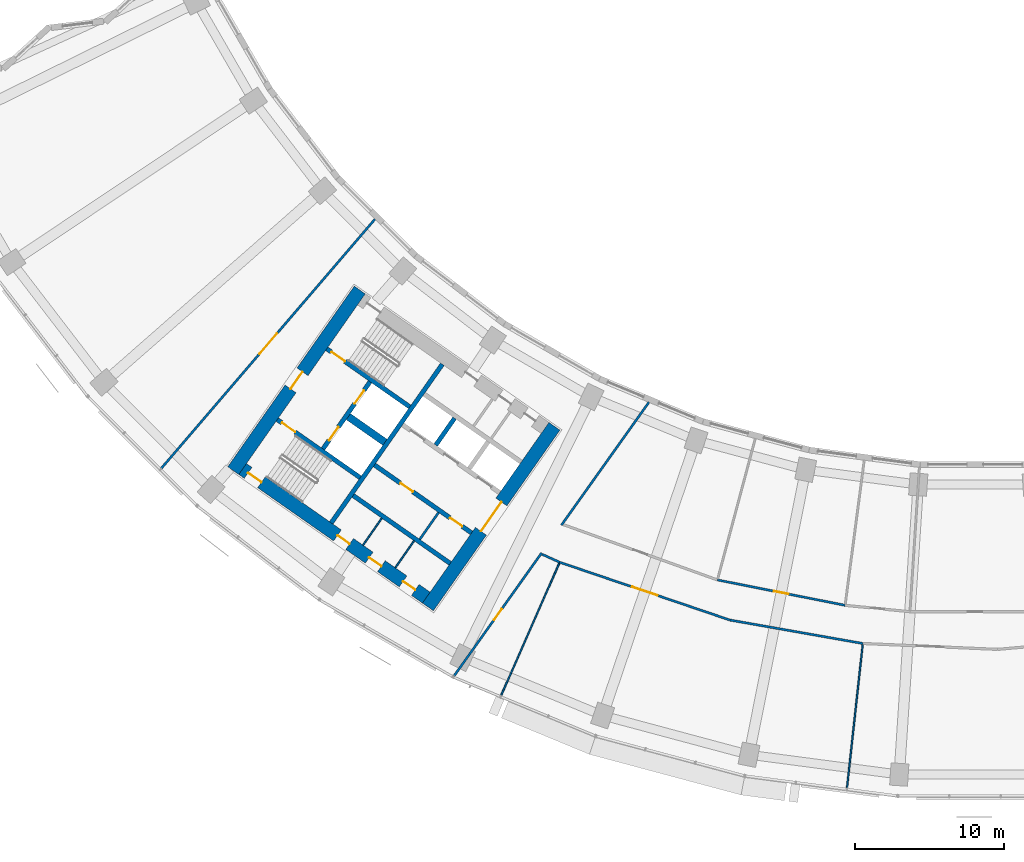
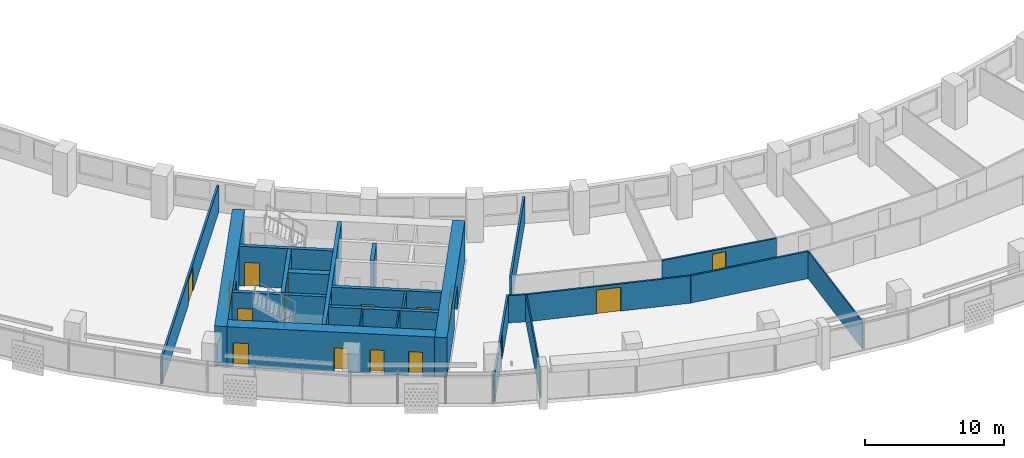
# One storey, part 3 of 29: 23 walls, 16 doors, 16 openings.
"""IFC4 building model written with IfcOpenShell, lengths in metres."""

from ifc_helpers import new_model, si_unit, direction, frame, frame_2d, origin, place, context, subcontext, project, spatial, rectangle, extrude, material, layer, layer_set, type_object, element, fill, save


model = new_model("IFC4")

# Units and contexts
model_context = context("Model", 3, precision=1e-05, world=origin(), true_north=direction((0.0, 1.0)))
body_context = subcontext(model_context, "Body", "Model", "MODEL_VIEW")
ifc_project = project(units=[si_unit("LENGTHUNIT", "METRE"), si_unit("AREAUNIT", "SQUARE_METRE"), si_unit("VOLUMEUNIT", "CUBIC_METRE"), si_unit("PLANEANGLEUNIT", "RADIAN"), si_unit("MASSUNIT", "GRAM", prefix="KILO")], contexts=[model_context])

# Site, building, storey
site_placement = place(None, origin())
site = spatial("IfcSite", under=ifc_project, at=site_placement, CompositionType="ELEMENT")
building_placement = place(site_placement, origin())
building = spatial("IfcBuilding", under=site, at=building_placement, Name="Qamariyya Broadcast Tower", CompositionType="ELEMENT")
storey_placement = place(building_placement, frame((0.0, 0.0, 106.300048828125)))
storey = spatial("IfcBuildingStorey", under=building, at=storey_placement, Name="L23", CompositionType="ELEMENT", Elevation=106.300048828125)

# Wall, opening, door
ifc_material_1 = material(Name="Concrete C70/85", Category="concrete")
ifc_layer_1 = layer(ifc_material_1, 0.89990234375)
ifc_layer_set_1 = layer_set([ifc_layer_1], Name="Core wall 900 mm Concrete C70/85")
wall_type_1 = type_object("IfcWallType", Name="Core wall 900 mm Concrete C70/85", PredefinedType="SHEAR", material=ifc_layer_set_1)
wall_1_placement = place(storey_placement, frame((-36.716796875, -66.3369140625, 0.0), z_axis=(0.0, 0.0, 1.0), x_axis=(0.573577477574, 0.819151315216, 0.0)))
wall_1 = element("IfcWall", 1, at=wall_1_placement, inside=storey, type_object=wall_type_1, Name="k-W-L23-WA", PredefinedType="SHEAR", context=body_context, shape_type="SweptSolid", body=[
    extrude(rectangle(XDim=14.800048828125, YDim=0.89990234375, at=frame_2d((7.39990234375, 0.0))), origin(), (0.0, 0.0, 1.0), 3.5),
])
opening_1_placement = place(wall_1_placement, frame((6.199951171875, 0.0, 0.0)))
opening_1 = element("IfcOpeningElement", 2, at=opening_1_placement, cuts=wall_1, Name="Opening KD3-W1", PredefinedType="OPENING", context=body_context, shape_type="SweptSolid", body=[
    extrude(rectangle(XDim=2.39990234375, YDim=2.10009765625, at=frame_2d((1.199951171875, 1.050048828125))), frame((0.0, 0.4599609375, 0.0), z_axis=(0.0, -1.0, 0.0), x_axis=(1.0, 0.0, 0.0)), (0.0, 0.0, 1.0), 0.919921875),
])
ifc_material_2 = material(Name="Steel fire-resisting door leaf", Category="steel")
door_type_1 = type_object("IfcDoorType", Name="Lift lobby door KD3", OperationType="DOUBLE_DOOR_SINGLE_SWING", PredefinedType="DOOR", material=ifc_material_2)
door_1_placement = place(opening_1_placement, origin())
door_1 = element("IfcDoor", 3, at=door_1_placement, inside=storey, type_object=door_type_1, Name="k-W-L23-WA-D1", OperationType="DOUBLE_DOOR_SINGLE_SWING", OverallHeight=2.10009765625, OverallWidth=2.39990234375, PredefinedType="DOOR", context=body_context, shape_type="SweptSolid", body=[
    extrude(rectangle(XDim=2.39990234375, YDim=2.10009765625, at=frame_2d((1.199951171875, 1.050048828125))), frame((0.0, 0.02490234375, 0.0), z_axis=(0.0, -1.0, 0.0), x_axis=(1.0, 0.0, 0.0)), (0.0, 0.0, 1.0), 0.050048828125),
])
fill(opening_1, door_1)

wall_2_placement = place(storey_placement, frame((-49.778564453125, -57.191162109375, 0.0), z_axis=(0.0, 0.0, 1.0), x_axis=(0.573577477574, 0.819151315216, 0.0)))
wall_2 = element("IfcWall", 4, at=wall_2_placement, inside=storey, type_object=wall_type_1, Name="k-W-L23-WH", PredefinedType="SHEAR", context=body_context, shape_type="SweptSolid", body=[
    extrude(rectangle(XDim=14.800048828125, YDim=0.89990234375, at=frame_2d((7.39990234375, 0.0))), origin(), (0.0, 0.0, 1.0), 3.5),
])
opening_2_placement = place(wall_2_placement, frame((6.699951171875, 0.0, 0.0)))
opening_2 = element("IfcOpeningElement", 5, at=opening_2_placement, cuts=wall_2, Name="Opening KD2-W1", PredefinedType="OPENING", context=body_context, shape_type="SweptSolid", body=[
    extrude(rectangle(XDim=1.39990234375, YDim=2.10009765625, at=frame_2d((0.699951171875, 1.050048828125))), frame((0.0, 0.4599609375, 0.0), z_axis=(0.0, -1.0, 0.0), x_axis=(1.0, 0.0, 0.0)), (0.0, 0.0, 1.0), 0.919921875),
])
door_type_2 = type_object("IfcDoorType", Name="Fire-fighting lobby door KD2", OperationType="DOUBLE_DOOR_SINGLE_SWING", PredefinedType="DOOR", material=ifc_material_2)
door_2_placement = place(opening_2_placement, origin())
door_2 = element("IfcDoor", 6, at=door_2_placement, inside=storey, type_object=door_type_2, Name="k-W-L23-WH-D15", OperationType="DOUBLE_DOOR_SINGLE_SWING", OverallHeight=2.10009765625, OverallWidth=1.39990234375, PredefinedType="DOOR", context=body_context, shape_type="SweptSolid", body=[
    extrude(rectangle(XDim=1.39990234375, YDim=2.10009765625, at=frame_2d((0.699951171875, 1.050048828125))), frame((0.0, 0.02490234375, 0.0), z_axis=(0.0, -1.0, 0.0), x_axis=(1.0, 0.0, 0.0)), (0.0, 0.0, 1.0), 0.050048828125),
])
fill(opening_2, door_2)

# Wall, openings, doors
wall_3_placement = place(storey_placement, frame((-36.827392578125, -65.710205078125, 0.0), z_axis=(0.0, 0.0, 1.0), x_axis=(-0.819153391756, 0.573574511963, 0.0)))
wall_3 = element("IfcWall", 7, at=wall_3_placement, inside=storey, type_object=wall_type_1, Name="k-W-L23-WO", PredefinedType="SHEAR", context=body_context, shape_type="SweptSolid", body=[
    extrude(rectangle(XDim=15.04541015625, YDim=0.89990234375, at=frame_2d((7.522705078125, 0.0))), origin(), (0.0, 0.0, 1.0), 3.5),
])
opening_3_placement = place(wall_3_placement, frame((0.89990234375, 0.0, 0.0)))
opening_3 = element("IfcOpeningElement", 8, at=opening_3_placement, cuts=wall_3, Name="Opening KD4-W2", PredefinedType="OPENING", context=body_context, shape_type="SweptSolid", body=[
    extrude(rectangle(XDim=1.0, YDim=2.10009765625, at=frame_2d((0.5, 1.050048828125))), frame((0.0, 0.4599609375, 0.0), z_axis=(0.0, -1.0, 0.0), x_axis=(1.0, 0.0, 0.0)), (0.0, 0.0, 1.0), 0.919921875),
])
opening_4_placement = place(wall_3_placement, frame((3.675048828125, 0.0, 0.0)))
opening_4 = element("IfcOpeningElement", 9, at=opening_4_placement, cuts=wall_3, Name="Opening KD4-W3", PredefinedType="OPENING", context=body_context, shape_type="SweptSolid", body=[
    extrude(rectangle(XDim=1.0, YDim=2.10009765625, at=frame_2d((0.5, 1.050048828125))), frame((0.0, 0.4599609375, 0.0), z_axis=(0.0, -1.0, 0.0), x_axis=(1.0, 0.0, 0.0)), (0.0, 0.0, 1.0), 0.919921875),
])
opening_5_placement = place(wall_3_placement, frame((6.27490234375, 0.0, 0.0)))
opening_5 = element("IfcOpeningElement", 10, at=opening_5_placement, cuts=wall_3, Name="Opening KD4-W4", PredefinedType="OPENING", context=body_context, shape_type="SweptSolid", body=[
    extrude(rectangle(XDim=1.0, YDim=2.10009765625, at=frame_2d((0.5, 1.050048828125))), frame((0.0, 0.4599609375, 0.0), z_axis=(0.0, -1.0, 0.0), x_axis=(1.0, 0.0, 0.0)), (0.0, 0.0, 1.0), 0.919921875),
])
opening_6_placement = place(wall_3_placement, frame((13.495361328125, 0.0, 0.0)))
opening_6 = element("IfcOpeningElement", 11, at=opening_6_placement, cuts=wall_3, Name="Opening KD1-W3", PredefinedType="OPENING", context=body_context, shape_type="SweptSolid", body=[
    extrude(rectangle(XDim=1.10009765625, YDim=2.10009765625, at=frame_2d((0.550048828125, 1.050048828125))), frame((0.0, 0.4599609375, 0.0), z_axis=(0.0, -1.0, 0.0), x_axis=(1.0, 0.0, 0.0)), (0.0, 0.0, 1.0), 0.919921875),
])
door_type_3 = type_object("IfcDoorType", Name="Riser and plant door KD4", OperationType="SINGLE_SWING_LEFT", PredefinedType="DOOR", material=ifc_material_2)
door_3_placement = place(opening_3_placement, origin())
door_3 = element("IfcDoor", 12, at=door_3_placement, inside=storey, type_object=door_type_3, Name="k-W-L23-WO-D10", OperationType="SINGLE_SWING_LEFT", OverallHeight=2.10009765625, OverallWidth=1.0, PredefinedType="DOOR", context=body_context, shape_type="SweptSolid", body=[
    extrude(rectangle(XDim=1.0, YDim=2.10009765625, at=frame_2d((0.5, 1.050048828125))), frame((0.0, 0.02490234375, 0.0), z_axis=(0.0, -1.0, 0.0), x_axis=(1.0, 0.0, 0.0)), (0.0, 0.0, 1.0), 0.050048828125),
])
fill(opening_3, door_3)
door_4_placement = place(opening_4_placement, origin())
door_4 = element("IfcDoor", 13, at=door_4_placement, inside=storey, type_object=door_type_3, Name="k-W-L23-WO-D11", OperationType="SINGLE_SWING_RIGHT", OverallHeight=2.10009765625, OverallWidth=1.0, PredefinedType="DOOR", context=body_context, shape_type="SweptSolid", body=[
    extrude(rectangle(XDim=1.0, YDim=2.10009765625, at=frame_2d((0.5, 1.050048828125))), frame((0.0, 0.02490234375, 0.0), z_axis=(0.0, -1.0, 0.0), x_axis=(1.0, 0.0, 0.0)), (0.0, 0.0, 1.0), 0.050048828125),
])
fill(opening_4, door_4)
door_5_placement = place(opening_5_placement, origin())
door_5 = element("IfcDoor", 14, at=door_5_placement, inside=storey, type_object=door_type_3, Name="k-W-L23-WO-D12", OperationType="SINGLE_SWING_LEFT", OverallHeight=2.10009765625, OverallWidth=1.0, PredefinedType="DOOR", context=body_context, shape_type="SweptSolid", body=[
    extrude(rectangle(XDim=1.0, YDim=2.10009765625, at=frame_2d((0.5, 1.050048828125))), frame((0.0, 0.02490234375, 0.0), z_axis=(0.0, -1.0, 0.0), x_axis=(1.0, 0.0, 0.0)), (0.0, 0.0, 1.0), 0.050048828125),
])
fill(opening_5, door_5)
door_type_4 = type_object("IfcDoorType", Name="Stair door KD1", OperationType="SINGLE_SWING_LEFT", PredefinedType="DOOR", material=ifc_material_2)
door_6_placement = place(opening_6_placement, origin())
door_6 = element("IfcDoor", 15, at=door_6_placement, inside=storey, type_object=door_type_4, Name="k-W-L23-WO-D18", OperationType="SINGLE_SWING_LEFT", OverallHeight=2.10009765625, OverallWidth=1.10009765625, PredefinedType="DOOR", context=body_context, shape_type="SweptSolid", body=[
    extrude(rectangle(XDim=1.10009765625, YDim=2.10009765625, at=frame_2d((0.550048828125, 1.050048828125))), frame((0.0, 0.02490234375, 0.0), z_axis=(0.0, -1.0, 0.0), x_axis=(1.0, 0.0, 0.0)), (0.0, 0.0, 1.0), 0.050048828125),
])
fill(opening_6, door_6)

# Wall, opening, door
ifc_material_3 = material(Name="Gypsum board partition")
ifc_layer_2 = layer(ifc_material_3, 0.14990234375)
ifc_layer_set_2 = layer_set([ifc_layer_2], Name="Corridor partition 150 EI 60")
wall_type_2 = type_object("IfcWallType", Name="Corridor partition 150 EI 60", PredefinedType="PARTITIONING", material=ifc_layer_set_2)
wall_4_placement = place(storey_placement, frame((-54.600830078125, -57.024169921875, 0.0), z_axis=(0.0, 0.0, 1.0), x_axis=(0.650987681244, 0.759088294514, 0.0)))
wall_4 = element("IfcWall", 16, at=wall_4_placement, inside=storey, type_object=wall_type_2, Name="Partition L23-001", PredefinedType="PARTITIONING", context=body_context, shape_type="SweptSolid", body=[
    extrude(rectangle(XDim=22.017822265625, YDim=0.14990234375, at=frame_2d((11.0087890625, 0.0))), origin(), (0.0, 0.0, 1.0), 2.39990234375),
])
opening_7_placement = place(wall_4_placement, frame((10.10888671875, 0.0, 0.0)))
opening_7 = element("IfcOpeningElement", 17, at=opening_7_placement, cuts=wall_4, Name="Opening L23-D12", PredefinedType="OPENING", context=body_context, shape_type="SweptSolid", body=[
    extrude(rectangle(XDim=1.800048828125, YDim=2.10009765625, at=frame_2d((0.89990234375, 1.050048828125))), frame((0.0, 0.0849609375, 0.0), z_axis=(0.0, -1.0, 0.0), x_axis=(1.0, 0.0, 0.0)), (0.0, 0.0, 1.0), 0.169921875),
])
ifc_material_4 = material(Name="Timber fire door leaf", Category="wood")
door_type_5 = type_object("IfcDoorType", Name="Double fire door 1800 x 2100 FD60", OperationType="NOTDEFINED", PredefinedType="DOOR", material=ifc_material_4)
door_7_placement = place(opening_7_placement, origin())
door_7 = element("IfcDoor", 18, at=door_7_placement, inside=storey, type_object=door_type_5, Name="Door L23-D12", OperationType="DOUBLE_DOOR_SINGLE_SWING", OverallHeight=2.10009765625, OverallWidth=1.800048828125, PredefinedType="DOOR", context=body_context, shape_type="SweptSolid", body=[
    extrude(rectangle(XDim=1.800048828125, YDim=2.10009765625, at=frame_2d((0.89990234375, 1.050048828125))), frame((0.0, 0.02490234375, 0.0), z_axis=(0.0, -1.0, 0.0), x_axis=(1.0, 0.0, 0.0)), (0.0, 0.0, 1.0), 0.050048828125),
])
fill(opening_7, door_7)

wall_5_placement = place(storey_placement, frame((-29.083984375, -62.710205078125, 0.0), z_axis=(0.0, 0.0, 1.0), x_axis=(-0.580031092611, -0.814594335608, 0.0)))
wall_5 = element("IfcWall", 19, at=wall_5_placement, inside=storey, type_object=wall_type_2, Name="Partition L23-003", PredefinedType="PARTITIONING", context=body_context, shape_type="SweptSolid", body=[
    extrude(rectangle(XDim=10.126220703125, YDim=0.14990234375, at=frame_2d((5.06298828125, 0.0))), origin(), (0.0, 0.0, 1.0), 2.39990234375),
])
opening_8_placement = place(wall_5_placement, frame((4.61328125, 0.0, 0.0)))
opening_8 = element("IfcOpeningElement", 20, at=opening_8_placement, cuts=wall_5, Name="Opening L23-D01", PredefinedType="OPENING", context=body_context, shape_type="SweptSolid", body=[
    extrude(rectangle(XDim=0.89990234375, YDim=2.10009765625, at=frame_2d((0.449951171875, 1.050048828125))), frame((0.0, 0.0849609375, 0.0), z_axis=(0.0, -1.0, 0.0), x_axis=(1.0, 0.0, 0.0)), (0.0, 0.0, 1.0), 0.169921875),
])
door_type_6 = type_object("IfcDoorType", Name="Fire door 900 x 2100 FD60", OperationType="NOTDEFINED", PredefinedType="DOOR", material=ifc_material_4)
door_8_placement = place(opening_8_placement, origin())
door_8 = element("IfcDoor", 21, at=door_8_placement, inside=storey, type_object=door_type_6, Name="Door L23-D01", OperationType="SINGLE_SWING_RIGHT", OverallHeight=2.10009765625, OverallWidth=0.89990234375, PredefinedType="DOOR", context=body_context, shape_type="SweptSolid", body=[
    extrude(rectangle(XDim=0.89990234375, YDim=2.10009765625, at=frame_2d((0.449951171875, 1.050048828125))), frame((0.0, 0.02490234375, 0.0), z_axis=(0.0, -1.0, 0.0), x_axis=(1.0, 0.0, 0.0)), (0.0, 0.0, 1.0), 0.050048828125),
])
fill(opening_8, door_8)

# Wall
wall_6_placement = place(storey_placement, frame((-29.05908203125, -62.802001953125, 0.0), z_axis=(0.0, 0.0, 1.0), x_axis=(0.911173247906, -0.412023436592, 0.0)))
element("IfcWall", 22, at=wall_6_placement, inside=storey, type_object=wall_type_2, Name="Partition L23-004", PredefinedType="PARTITIONING", context=body_context, shape_type="SweptSolid", body=[
    extrude(rectangle(XDim=1.302978515625, YDim=0.14990234375, at=frame_2d((0.6513671875, 0.0))), origin(), (0.0, 0.0, 1.0), 2.39990234375),
])

# Wall, opening, door
wall_7_placement = place(storey_placement, frame((-16.454345703125, -67.214599609375, 0.0), z_axis=(0.0, 0.0, 1.0), x_axis=(-0.946929623312, 0.321440956466, 0.0)))
wall_7 = element("IfcWall", 23, at=wall_7_placement, inside=storey, type_object=wall_type_2, Name="Partition L23-005", PredefinedType="PARTITIONING", context=body_context, shape_type="SweptSolid", body=[
    extrude(rectangle(XDim=12.057373046875, YDim=0.14990234375, at=frame_2d((6.02880859375, 0.0))), origin(), (0.0, 0.0, 1.0), 2.39990234375),
])
opening_9_placement = place(wall_7_placement, frame((5.128662109375, 0.0, 0.0)))
opening_9 = element("IfcOpeningElement", 24, at=opening_9_placement, cuts=wall_7, Name="Opening L23-D02", PredefinedType="OPENING", context=body_context, shape_type="SweptSolid", body=[
    extrude(rectangle(XDim=1.800048828125, YDim=2.10009765625, at=frame_2d((0.89990234375, 1.050048828125))), frame((0.0, 0.0849609375, 0.0), z_axis=(0.0, -1.0, 0.0), x_axis=(1.0, 0.0, 0.0)), (0.0, 0.0, 1.0), 0.169921875),
])
door_9_placement = place(opening_9_placement, origin())
door_9 = element("IfcDoor", 25, at=door_9_placement, inside=storey, type_object=door_type_5, Name="Door L23-D02", OperationType="DOUBLE_DOOR_SINGLE_SWING", OverallHeight=2.10009765625, OverallWidth=1.800048828125, PredefinedType="DOOR", context=body_context, shape_type="SweptSolid", body=[
    extrude(rectangle(XDim=1.800048828125, YDim=2.10009765625, at=frame_2d((0.89990234375, 1.050048828125))), frame((0.0, 0.02490234375, 0.0), z_axis=(0.0, -1.0, 0.0), x_axis=(1.0, 0.0, 0.0)), (0.0, 0.0, 1.0), 0.050048828125),
])
fill(opening_9, door_9)

# Wall
wall_8_placement = place(storey_placement, frame((-21.8837890625, -52.59765625, 0.0), z_axis=(0.0, 0.0, 1.0), x_axis=(-0.580016763963, -0.814604538118, 0.0)))
element("IfcWall", 26, at=wall_8_placement, inside=storey, type_object=wall_type_2, Name="Partition L23-007", PredefinedType="PARTITIONING", context=body_context, shape_type="SweptSolid", body=[
    extrude(rectangle(XDim=10.12109375, YDim=0.14990234375, at=frame_2d((5.060546875, 0.0))), origin(), (0.0, 0.0, 1.0), 2.39990234375),
])

# Wall, opening, door
wall_9_placement = place(storey_placement, frame((-17.2890625, -64.52392578125, 0.0), z_axis=(0.0, 0.0, 1.0), x_axis=(0.980786466832, -0.195084357342, 0.0)))
wall_9 = element("IfcWall", 27, at=wall_9_placement, inside=storey, type_object=wall_type_2, Name="Partition L23-008", PredefinedType="PARTITIONING", context=body_context, shape_type="SweptSolid", body=[
    extrude(rectangle(XDim=8.73779296875, YDim=0.14990234375, at=frame_2d((4.368896484375, 0.0))), origin(), (0.0, 0.0, 1.0), 2.39990234375),
])
opening_10_placement = place(wall_9_placement, frame((3.868896484375, 0.0, 0.0)))
opening_10 = element("IfcOpeningElement", 28, at=opening_10_placement, cuts=wall_9, Name="Opening L23-D06", PredefinedType="OPENING", context=body_context, shape_type="SweptSolid", body=[
    extrude(rectangle(XDim=1.0, YDim=2.10009765625, at=frame_2d((0.5, 1.050048828125))), frame((0.0, 0.0849609375, 0.0), z_axis=(0.0, -1.0, 0.0), x_axis=(1.0, 0.0, 0.0)), (0.0, 0.0, 1.0), 0.169921875),
])
door_type_7 = type_object("IfcDoorType", Name="Fire door 1000 x 2100 FD60", OperationType="NOTDEFINED", PredefinedType="DOOR", material=ifc_material_4)
door_10_placement = place(opening_10_placement, origin())
door_10 = element("IfcDoor", 29, at=door_10_placement, inside=storey, type_object=door_type_7, Name="Door L23-D06", OperationType="SINGLE_SWING_RIGHT", OverallHeight=2.10009765625, OverallWidth=1.0, PredefinedType="DOOR", context=body_context, shape_type="SweptSolid", body=[
    extrude(rectangle(XDim=1.0, YDim=2.10009765625, at=frame_2d((0.5, 1.050048828125))), frame((0.0, 0.02490234375, 0.0), z_axis=(0.0, -1.0, 0.0), x_axis=(1.0, 0.0, 0.0)), (0.0, 0.0, 1.0), 0.050048828125),
])
fill(opening_10, door_10)

# Walls
wall_10_placement = place(storey_placement, frame((-16.4375, -67.21875, 0.0), z_axis=(0.0, 0.0, 1.0), x_axis=(0.984812626165, -0.173620538376, 0.0)))
element("IfcWall", 30, at=wall_10_placement, inside=storey, type_object=wall_type_2, Name="Partition L23-009", PredefinedType="PARTITIONING", context=body_context, shape_type="SweptSolid", body=[
    extrude(rectangle(XDim=9.043212890625, YDim=0.14990234375, at=frame_2d((4.521484375, 0.0))), origin(), (0.0, 0.0, 1.0), 2.39990234375),
])
ifc_material_5 = material(Name="Concrete C60/75", Category="concrete")
ifc_layer_3 = layer(ifc_material_5, 0.5)
ifc_layer_set_3 = layer_set([ifc_layer_3], Name="Fire-fighting lobby divider wall 500 mm Concrete C60/75")
wall_type_3 = type_object("IfcWallType", Name="Fire-fighting lobby divider wall 500 mm Concrete C60/75", PredefinedType="SOLIDWALL", material=ifc_layer_set_3)
wall_11_placement = place(storey_placement, frame((-39.59912109375, -55.28515625, 0.0), z_axis=(0.0, 0.0, 1.0), x_axis=(-0.819136323161, 0.573598887793, 0.0)))
element("IfcWall", 31, at=wall_11_placement, inside=storey, type_object=wall_type_3, Name="k-W-L23-FD", PredefinedType="SOLIDWALL", context=body_context, shape_type="SweptSolid", body=[
    extrude(rectangle(XDim=2.999755859375, YDim=0.5, at=frame_2d((1.5, 0.0))), origin(), (0.0, 0.0, 1.0), 3.5),
])
ifc_material_6 = material(Name="Gypsum board partition on steel studs", Category="steel")
ifc_layer_4 = layer(ifc_material_6, 0.14990234375)
ifc_layer_set_4 = layer_set([ifc_layer_4], Name="Gypsum board partition 150 mm")
wall_type_4 = type_object("IfcWallType", Name="Gypsum board partition 150 mm", PredefinedType="PARTITIONING", material=ifc_layer_set_4)
wall_12_placement = place(storey_placement, frame((-36.003173828125, -60.000244140625, 0.0), z_axis=(0.0, 0.0, 1.0), x_axis=(-0.573581496053, -0.819148501424, 0.0)))
element("IfcWall", 32, at=wall_12_placement, inside=storey, type_object=wall_type_4, Name="k-W-L23-SC260", PredefinedType="PARTITIONING", context=body_context, shape_type="SweptSolid", body=[
    extrude(rectangle(XDim=2.2001953125, YDim=0.14990234375, at=frame_2d((1.10009765625, 0.0))), origin(), (0.0, 0.0, 1.0), 3.5),
])
ifc_layer_5 = layer(ifc_material_5, 0.300048828125)
ifc_layer_set_5 = layer_set([ifc_layer_5], Name="Lift shaft wall 300 mm Concrete C60/75")
wall_type_5 = type_object("IfcWallType", Name="Lift shaft wall 300 mm Concrete C60/75", PredefinedType="SOLIDWALL", material=ifc_layer_set_5)
wall_13_placement = place(storey_placement, frame((-43.204345703125, -60.69580078125, 0.0), z_axis=(0.0, 0.0, 1.0), x_axis=(0.573571992966, 0.819155155563, 0.0)))
element("IfcWall", 33, at=wall_13_placement, inside=storey, type_object=wall_type_5, Name="k-W-L23-WL", PredefinedType="SOLIDWALL", context=body_context, shape_type="SweptSolid", body=[
    extrude(rectangle(XDim=13.000244140625, YDim=0.300048828125, at=frame_2d((6.5, 0.0))), origin(), (0.0, 0.0, 1.0), 3.5),
])
wall_14_placement = place(storey_placement, frame((-36.19091796875, -55.47412109375, 0.0), z_axis=(0.0, 0.0, 1.0), x_axis=(0.573507030513, 0.819200638399, 0.0)))
element("IfcWall", 34, at=wall_14_placement, inside=storey, type_object=wall_type_5, Name="k-W-L23-ND1", PredefinedType="SOLIDWALL", context=body_context, shape_type="SweptSolid", body=[
    extrude(rectangle(XDim=2.199951171875, YDim=0.300048828125, at=frame_2d((1.10009765625, 0.0))), origin(), (0.0, 0.0, 1.0), 3.5),
])

# Wall, openings, doors
wall_15_placement = place(storey_placement, frame((-33.787353515625, -61.368896484375, 0.0), z_axis=(0.0, 0.0, 1.0), x_axis=(-0.819152564888, 0.573575692858, 0.0)))
wall_15 = element("IfcWall", 35, at=wall_15_placement, inside=storey, type_object=wall_type_5, Name="k-W-L23-SF0", PredefinedType="SOLIDWALL", context=body_context, shape_type="SweptSolid", body=[
    extrude(rectangle(XDim=7.9501953125, YDim=0.300048828125, at=frame_2d((3.97509765625, 0.0))), origin(), (0.0, 0.0, 1.0), 3.5),
])
opening_11_placement = place(wall_15_placement, frame((0.762451171875, 0.0, 0.0)))
opening_11 = element("IfcOpeningElement", 36, at=opening_11_placement, cuts=wall_15, Name="Opening KD4-W1", PredefinedType="OPENING", context=body_context, shape_type="SweptSolid", body=[
    extrude(rectangle(XDim=1.0, YDim=2.10009765625, at=frame_2d((0.5, 1.050048828125))), frame((0.0, 0.159912109375, 0.0), z_axis=(0.0, -1.0, 0.0), x_axis=(1.0, 0.0, 0.0)), (0.0, 0.0, 1.0), 0.320068359375),
])
opening_12_placement = place(wall_15_placement, frame((4.8125, 0.0, 0.0)))
opening_12 = element("IfcOpeningElement", 37, at=opening_12_placement, cuts=wall_15, Name="Opening KD6-W1", PredefinedType="OPENING", context=body_context, shape_type="SweptSolid", body=[
    extrude(rectangle(XDim=1.0, YDim=2.10009765625, at=frame_2d((0.5, 1.050048828125))), frame((0.0, 0.159912109375, 0.0), z_axis=(0.0, -1.0, 0.0), x_axis=(1.0, 0.0, 0.0)), (0.0, 0.0, 1.0), 0.320068359375),
])
door_type_8 = type_object("IfcDoorType", Name="Core room door KD6", OperationType="SINGLE_SWING_LEFT", PredefinedType="DOOR", material=ifc_material_2)
door_11_placement = place(opening_12_placement, origin())
door_11 = element("IfcDoor", 38, at=door_11_placement, inside=storey, type_object=door_type_8, Name="k-W-L23-SF0-D6", OperationType="SINGLE_SWING_LEFT", OverallHeight=2.10009765625, OverallWidth=1.0, PredefinedType="DOOR", context=body_context, shape_type="SweptSolid", body=[
    extrude(rectangle(XDim=1.0, YDim=2.10009765625, at=frame_2d((0.5, 1.050048828125))), frame((0.0, 0.02490234375, 0.0), z_axis=(0.0, -1.0, 0.0), x_axis=(1.0, 0.0, 0.0)), (0.0, 0.0, 1.0), 0.050048828125),
])
fill(opening_12, door_11)
door_12_placement = place(opening_11_placement, origin())
door_12 = element("IfcDoor", 39, at=door_12_placement, inside=storey, type_object=door_type_3, Name="k-W-L23-SF0-D5", OperationType="SINGLE_SWING_RIGHT", OverallHeight=2.10009765625, OverallWidth=1.0, PredefinedType="DOOR", context=body_context, shape_type="SweptSolid", body=[
    extrude(rectangle(XDim=1.0, YDim=2.10009765625, at=frame_2d((0.5, 1.050048828125))), frame((0.0, 0.02490234375, 0.0), z_axis=(0.0, -1.0, 0.0), x_axis=(1.0, 0.0, 0.0)), (0.0, 0.0, 1.0), 0.050048828125),
])
fill(opening_11, door_12)

# Wall
wall_16_placement = place(storey_placement, frame((-35.22119140625, -63.41650390625, 0.0), z_axis=(0.0, 0.0, 1.0), x_axis=(-0.819166993208, 0.573555086491, 0.0)))
element("IfcWall", 40, at=wall_16_placement, inside=storey, type_object=wall_type_5, Name="k-W-L23-SB0", PredefinedType="SOLIDWALL", context=body_context, shape_type="SweptSolid", body=[
    extrude(rectangle(XDim=7.9501953125, YDim=0.300048828125, at=frame_2d((3.97509765625, 0.0))), origin(), (0.0, 0.0, 1.0), 3.5),
])

# Wall, opening, door
wall_17_placement = place(storey_placement, frame((-37.935546875, -52.90966796875, 0.0), z_axis=(0.0, 0.0, 1.0), x_axis=(-0.819147518138, 0.57358290031, 0.0)))
wall_17 = element("IfcWall", 41, at=wall_17_placement, inside=storey, type_object=wall_type_5, Name="k-W-L23-NW", PredefinedType="SOLIDWALL", context=body_context, shape_type="SweptSolid", body=[
    extrude(rectangle(XDim=6.79541015625, YDim=0.300048828125, at=frame_2d((3.397705078125, 0.0))), origin(), (0.0, 0.0, 1.0), 3.5),
])
opening_13_placement = place(wall_17_placement, frame((5.3203125, 0.0, 0.0)))
opening_13 = element("IfcOpeningElement", 42, at=opening_13_placement, cuts=wall_17, Name="Opening KD1-W2", PredefinedType="OPENING", context=body_context, shape_type="SweptSolid", body=[
    extrude(rectangle(XDim=1.10009765625, YDim=2.10009765625, at=frame_2d((0.550048828125, 1.050048828125))), frame((0.0, 0.159912109375, 0.0), z_axis=(0.0, -1.0, 0.0), x_axis=(1.0, 0.0, 0.0)), (0.0, 0.0, 1.0), 0.320068359375),
])
door_13_placement = place(opening_13_placement, origin())
door_13 = element("IfcDoor", 43, at=door_13_placement, inside=storey, type_object=door_type_4, Name="k-W-L23-NW-D17", OperationType="SINGLE_SWING_RIGHT", OverallHeight=2.10009765625, OverallWidth=1.10009765625, PredefinedType="DOOR", context=body_context, shape_type="SweptSolid", body=[
    extrude(rectangle(XDim=1.10009765625, YDim=2.10009765625, at=frame_2d((0.550048828125, 1.050048828125))), frame((0.0, 0.02490234375, 0.0), z_axis=(0.0, -1.0, 0.0), x_axis=(1.0, 0.0, 0.0)), (0.0, 0.0, 1.0), 0.050048828125),
])
fill(opening_13, door_13)

wall_18_placement = place(storey_placement, frame((-41.262451171875, -57.66064453125, 0.0), z_axis=(0.0, 0.0, 1.0), x_axis=(-0.819164398642, 0.573558792102, 0.0)))
wall_18 = element("IfcWall", 44, at=wall_18_placement, inside=storey, type_object=wall_type_5, Name="k-W-L23-SW", PredefinedType="SOLIDWALL", context=body_context, shape_type="SweptSolid", body=[
    extrude(rectangle(XDim=6.795166015625, YDim=0.300048828125, at=frame_2d((3.3974609375, 0.0))), origin(), (0.0, 0.0, 1.0), 3.5),
])
opening_14_placement = place(wall_18_placement, frame((5.3203125, 0.0, 0.0)))
opening_14 = element("IfcOpeningElement", 45, at=opening_14_placement, cuts=wall_18, Name="Opening KD1-W4", PredefinedType="OPENING", context=body_context, shape_type="SweptSolid", body=[
    extrude(rectangle(XDim=1.10009765625, YDim=2.10009765625, at=frame_2d((0.550048828125, 1.050048828125))), frame((0.0, 0.159912109375, 0.0), z_axis=(0.0, -1.0, 0.0), x_axis=(1.0, 0.0, 0.0)), (0.0, 0.0, 1.0), 0.320068359375),
])
door_14_placement = place(opening_14_placement, origin())
door_14 = element("IfcDoor", 46, at=door_14_placement, inside=storey, type_object=door_type_4, Name="k-W-L23-SW-D19", OperationType="SINGLE_SWING_RIGHT", OverallHeight=2.10009765625, OverallWidth=1.10009765625, PredefinedType="DOOR", context=body_context, shape_type="SweptSolid", body=[
    extrude(rectangle(XDim=1.10009765625, YDim=2.10009765625, at=frame_2d((0.550048828125, 1.050048828125))), frame((0.0, 0.02490234375, 0.0), z_axis=(0.0, -1.0, 0.0), x_axis=(1.0, 0.0, 0.0)), (0.0, 0.0, 1.0), 0.050048828125),
])
fill(opening_14, door_14)

# Wall, openings, doors
wall_19_placement = place(storey_placement, frame((-43.756591796875, -55.731201171875, 0.0), z_axis=(0.0, 0.0, 1.0), x_axis=(0.573536818435, 0.819179783625, 0.0)))
wall_19 = element("IfcWall", 47, at=wall_19_placement, inside=storey, type_object=wall_type_5, Name="k-W-L23-FF", PredefinedType="SOLIDWALL", context=body_context, shape_type="SweptSolid", body=[
    extrude(rectangle(XDim=5.500244140625, YDim=0.300048828125, at=frame_2d((2.75, 0.0))), origin(), (0.0, 0.0, 1.0), 3.5),
])
opening_15_placement = place(wall_19_placement, frame((0.699951171875, 0.0, 0.0)))
opening_15 = element("IfcOpeningElement", 48, at=opening_15_placement, cuts=wall_19, Name="Opening LD", PredefinedType="OPENING", context=body_context, shape_type="SweptSolid", body=[
    extrude(rectangle(XDim=1.10009765625, YDim=2.10009765625, at=frame_2d((0.550048828125, 1.050048828125))), frame((0.0, 0.159912109375, 0.0), z_axis=(0.0, -1.0, 0.0), x_axis=(1.0, 0.0, 0.0)), (0.0, 0.0, 1.0), 0.320068359375),
])
opening_16_placement = place(wall_19_placement, frame((3.699951171875, 0.0, 0.0)))
opening_16 = element("IfcOpeningElement", 49, at=opening_16_placement, cuts=wall_19, Name="Opening LD", PredefinedType="OPENING", context=body_context, shape_type="SweptSolid", body=[
    extrude(rectangle(XDim=1.10009765625, YDim=2.10009765625, at=frame_2d((0.550048828125, 1.050048828125))), frame((0.0, 0.159912109375, 0.0), z_axis=(0.0, -1.0, 0.0), x_axis=(1.0, 0.0, 0.0)), (0.0, 0.0, 1.0), 0.320068359375),
])
door_type_9 = type_object("IfcDoorType", Name="Lift landing door LD", OperationType="DOUBLE_DOOR_SLIDING", PredefinedType="DOOR", material=ifc_material_2)
door_15_placement = place(opening_15_placement, origin())
door_15 = element("IfcDoor", 50, at=door_15_placement, inside=storey, type_object=door_type_9, Name="k-W-L23-FF-D13", OperationType="DOUBLE_DOOR_SLIDING", OverallHeight=2.10009765625, OverallWidth=1.10009765625, PredefinedType="DOOR", context=body_context, shape_type="SweptSolid", body=[
    extrude(rectangle(XDim=1.10009765625, YDim=2.10009765625, at=frame_2d((0.550048828125, 1.050048828125))), frame((0.0, 0.02490234375, 0.0), z_axis=(0.0, -1.0, 0.0), x_axis=(1.0, 0.0, 0.0)), (0.0, 0.0, 1.0), 0.050048828125),
])
fill(opening_15, door_15)
door_16_placement = place(opening_16_placement, origin())
door_16 = element("IfcDoor", 51, at=door_16_placement, inside=storey, type_object=door_type_9, Name="k-W-L23-FF-D14", OperationType="DOUBLE_DOOR_SLIDING", OverallHeight=2.10009765625, OverallWidth=1.10009765625, PredefinedType="DOOR", context=body_context, shape_type="SweptSolid", body=[
    extrude(rectangle(XDim=1.10009765625, YDim=2.10009765625, at=frame_2d((0.550048828125, 1.050048828125))), frame((0.0, 0.02490234375, 0.0), z_axis=(0.0, -1.0, 0.0), x_axis=(1.0, 0.0, 0.0)), (0.0, 0.0, 1.0), 0.050048828125),
])
fill(opening_16, door_16)

# Walls
ifc_layer_6 = layer(ifc_material_3, 0.10009765625)
ifc_layer_set_6 = layer_set([ifc_layer_6], Name="Partition 100")
wall_type_6 = type_object("IfcWallType", Name="Partition 100", PredefinedType="PARTITIONING", material=ifc_layer_set_6)
wall_20_placement = place(storey_placement, frame((-31.798583984375, -72.26220703125, 0.0), z_axis=(0.0, 0.0, 1.0), x_axis=(0.402773288685, 0.915299774894, 0.0)))
element("IfcWall", 52, at=wall_20_placement, inside=storey, type_object=wall_type_6, Name="Partition L23-002", PredefinedType="PARTITIONING", context=body_context, shape_type="SweptSolid", body=[
    extrude(rectangle(XDim=9.674072265625, YDim=0.10009765625, at=frame_2d((4.8369140625, 0.0))), origin(), (0.0, 0.0, 1.0), 2.39990234375),
])
wall_21_placement = place(storey_placement, frame((-8.5927734375, -78.47998046875, 0.0), z_axis=(0.0, 0.0, 1.0), x_axis=(0.10884699726, 0.994058514972, 0.0)))
element("IfcWall", 53, at=wall_21_placement, inside=storey, type_object=wall_type_6, Name="Partition L23-012", PredefinedType="PARTITIONING", context=body_context, shape_type="SweptSolid", body=[
    extrude(rectangle(XDim=9.673828125, YDim=0.10009765625, at=frame_2d((4.8369140625, 0.0))), origin(), (0.0, 0.0, 1.0), 2.39990234375),
])
ifc_material_7 = material(Name="Fire-rated gypsum shaft liner on steel studs", Category="steel")
ifc_layer_7 = layer(ifc_material_7, 0.10009765625)
ifc_layer_set_7 = layer_set([ifc_layer_7], Name="Riser wall 100 mm")
wall_type_7 = type_object("IfcWallType", Name="Riser wall 100 mm", PredefinedType="PLUMBINGWALL", material=ifc_layer_set_7)
wall_22_placement = place(storey_placement, frame((-37.64208984375, -61.90478515625, 0.0), z_axis=(0.0, 0.0, 1.0), x_axis=(-0.573507030513, -0.819200638399, 0.0)))
element("IfcWall", 54, at=wall_22_placement, inside=storey, type_object=wall_type_7, Name="k-W-L23-SP285", PredefinedType="PLUMBINGWALL", context=body_context, shape_type="SweptSolid", body=[
    extrude(rectangle(XDim=2.199951171875, YDim=0.10009765625, at=frame_2d((1.10009765625, 0.0))), origin(), (0.0, 0.0, 1.0), 3.5),
])
wall_23_placement = place(storey_placement, frame((-39.812744140625, -60.384765625, 0.0), z_axis=(0.0, 0.0, 1.0), x_axis=(-0.573581496053, -0.819148501424, 0.0)))
element("IfcWall", 55, at=wall_23_placement, inside=storey, type_object=wall_type_7, Name="k-W-L23-SP550", PredefinedType="PLUMBINGWALL", context=body_context, shape_type="SweptSolid", body=[
    extrude(rectangle(XDim=2.2001953125, YDim=0.10009765625, at=frame_2d((1.10009765625, 0.0))), origin(), (0.0, 0.0, 1.0), 3.5),
])

save(model, "model.ifc")
